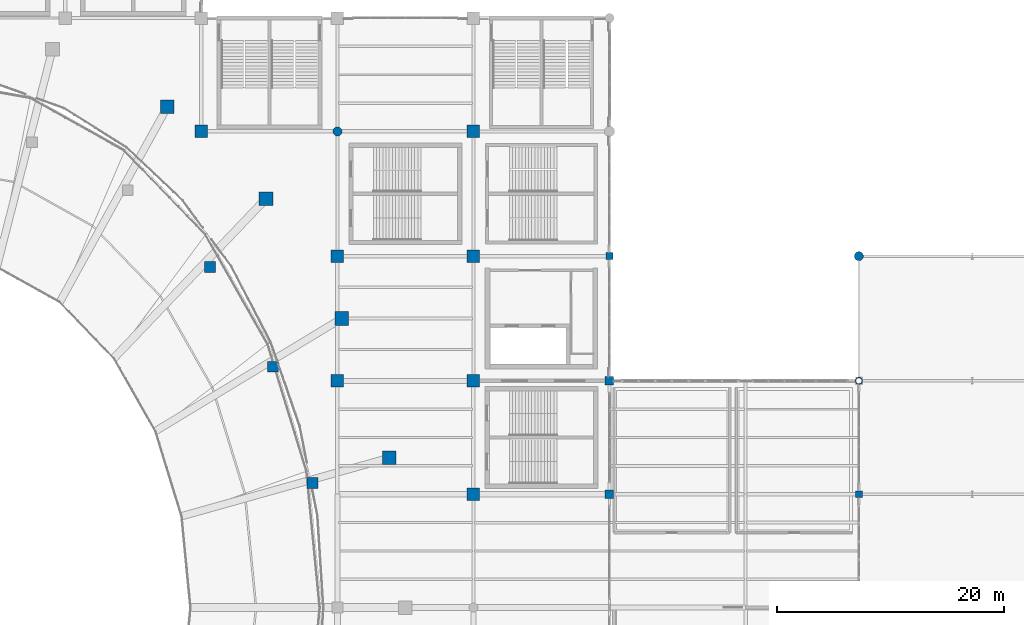
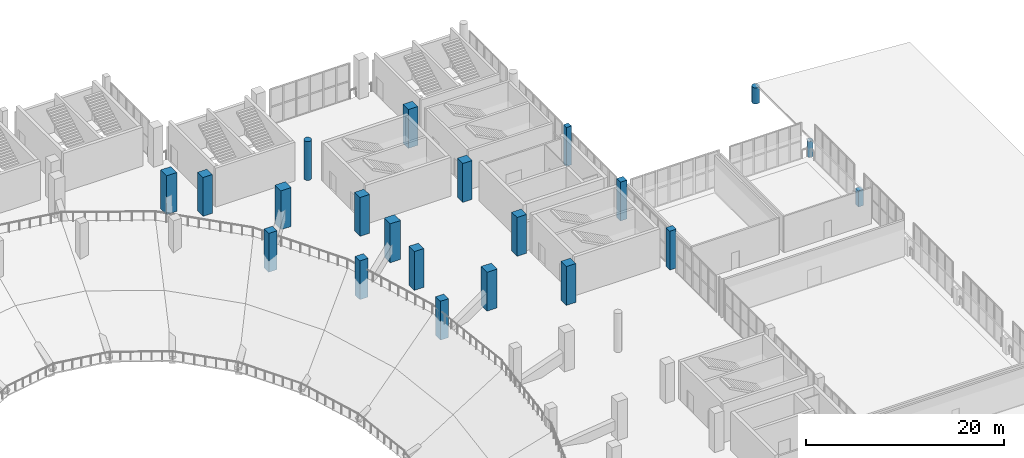
# One storey, part 12 of 136: 21 columns.
"""IFC4 building model written with IfcOpenShell, lengths in metres."""

from ifc_helpers import new_model, si_unit, direction, frame, origin, origin_2d, place, context, subcontext, project, spatial, rectangle, circle, hollow_circle, extrude, material, material_profile, profile_set, type_object, element, save


model = new_model("IFC4")

# Units and contexts
model_context = context("Model", 3, precision=1e-05, world=origin(), true_north=direction((0.0, 1.0)))
body_context = subcontext(model_context, "Body", "Model", "MODEL_VIEW")
ifc_project = project(units=[si_unit("LENGTHUNIT", "METRE"), si_unit("AREAUNIT", "SQUARE_METRE"), si_unit("VOLUMEUNIT", "CUBIC_METRE"), si_unit("PLANEANGLEUNIT", "RADIAN"), si_unit("MASSUNIT", "GRAM", prefix="KILO")], contexts=[model_context])

# Site, building, storey
site_placement = place(None, origin())
site = spatial("IfcSite", under=ifc_project, at=site_placement, CompositionType="ELEMENT")
building_placement = place(site_placement, origin())
building = spatial("IfcBuilding", under=site, at=building_placement, Name="Brinegate Civic Arena", CompositionType="ELEMENT")
storey_placement = place(building_placement, frame((0.0, 0.0, 5.39990234375)))
storey = spatial("IfcBuildingStorey", under=building, at=storey_placement, Name="L01", CompositionType="ELEMENT", Elevation=5.39990234375)

# Columns
ifc_material_1 = material(Name="Concrete C50/60", Category="concrete")
ifc_material_profile_1 = material_profile(ifc_material_1, rectangle(XDim=1.199951171875, YDim=1.199951171875, at=origin_2d()), Name="RC1200X1200")
ifc_profile_set_1 = profile_set([ifc_material_profile_1], Name="Concrete C50/60")
column_type_1 = type_object("IfcColumnType", Name="COL-CC01-1200", PredefinedType="COLUMN", material=ifc_profile_set_1)
for number, where, z_axis, x_axis, name in (
    (1, (148.569091796875, 75.199951171875, 0.0), (0.0, 0.0, 1.0), (1.0, 0.0, 0.0), "Bowl Raker Column OUT-02-L01"),
    (2, (144.373046875, 87.5, 0.0), (0.0, 0.0, 1.0), (1.0, 0.0, 0.0), "Bowl Raker Column OUT-03-L01"),
    (3, (137.697998046875, 98.06201171875, 0.0), (0.0, 0.0, 1.0), (1.0, 0.0, 0.0), "Bowl Raker Column OUT-04-L01"),
    (4, (129.0, 106.1669921875, 0.0), (0.0, 0.0, 1.0), (1.0, 0.0, 0.0), "Bowl Raker Column OUT-05-L01"),
):
    element("IfcColumn", number, at=place(storey_placement, frame(where, z_axis=z_axis, x_axis=x_axis)), inside=storey, type_object=column_type_1, Name=name, PredefinedType="COLUMN", context=body_context, shape_type="SweptSolid", body=[
        extrude(rectangle(XDim=1.199951171875, YDim=1.199951171875, at=origin_2d()), origin(), (0.0, 0.0, 1.0), 4.800048828125),
    ])
ifc_material_profile_2 = material_profile(ifc_material_1, rectangle(XDim=1.10009765625, YDim=1.10009765625, at=origin_2d()), Name="RC1100X1100")
ifc_profile_set_2 = profile_set([ifc_material_profile_2], Name="Concrete C50/60")
column_type_2 = type_object("IfcColumnType", Name="COL-CC02-1100", PredefinedType="COLUMN", material=ifc_profile_set_2)
for number, where, z_axis, x_axis, name in (
    (5, (132.0, 104.0, 0.0), (0.0, 0.0, 1.0), (1.0, 0.0, 0.0), "Column COL-L01-12-L"),
    (6, (144.0, 82.0, 0.0), (0.0, 0.0, 1.0), (1.0, 0.0, 0.0), "Column COL-L01-13-J"),
    (7, (144.0, 93.0, 0.0), (0.0, 0.0, 1.0), (1.0, 0.0, 0.0), "Column COL-L01-13-K"),
    (8, (156.0, 72.0, 0.0), (0.0, 0.0, 1.0), (1.0, 0.0, 0.0), "Column COL-L01-14-H"),
    (9, (156.0, 82.0, 0.0), (0.0, 0.0, 1.0), (1.0, 0.0, 0.0), "Column COL-L01-14-J"),
    (10, (156.0, 93.0, 0.0), (0.0, 0.0, 1.0), (1.0, 0.0, 0.0), "Column COL-L01-14-K"),
    (11, (156.0, 104.0, 0.0), (0.0, 0.0, 1.0), (1.0, 0.0, 0.0), "Column COL-L01-14-L"),
):
    element("IfcColumn", number, at=place(storey_placement, frame(where, z_axis=z_axis, x_axis=x_axis)), inside=storey, type_object=column_type_2, Name=name, PredefinedType="COLUMN", context=body_context, shape_type="SweptSolid", body=[
        extrude(rectangle(XDim=1.10009765625, YDim=1.10009765625, at=origin_2d()), origin(), (0.0, 0.0, 1.0), 4.800048828125),
    ])
ifc_material_profile_3 = material_profile(ifc_material_1, rectangle(XDim=0.949951171875, YDim=0.949951171875, at=origin_2d()), Name="RC950X950")
ifc_profile_set_3 = profile_set([ifc_material_profile_3], Name="Concrete C50/60")
column_type_3 = type_object("IfcColumnType", Name="COL-CC04-950", PredefinedType="COLUMN", material=ifc_profile_set_3)
for number, where, z_axis, x_axis, name in (
    (12, (141.806884765625, 73.0, 0.0), (0.0, 0.0, 1.0), (1.0, 0.0, 0.0), "Upper Raker Inner Column UIN-02-L01"),
    (13, (138.31103515625, 83.25, 0.0), (0.0, 0.0, 1.0), (1.0, 0.0, 0.0), "Upper Raker Inner Column UIN-03-L01"),
    (14, (132.7490234375, 92.052001953125, 0.0), (0.0, 0.0, 1.0), (1.0, 0.0, 0.0), "Upper Raker Inner Column UIN-04-L01"),
):
    element("IfcColumn", number, at=place(storey_placement, frame(where, z_axis=z_axis, x_axis=x_axis)), inside=storey, type_object=column_type_3, Name=name, PredefinedType="COLUMN", context=body_context, shape_type="SweptSolid", body=[
        extrude(rectangle(XDim=0.949951171875, YDim=0.949951171875, at=origin_2d()), origin(), (0.0, 0.0, 1.0), 4.800048828125),
    ])
ifc_material_profile_4 = material_profile(ifc_material_1, rectangle(XDim=0.75, YDim=0.75, at=origin_2d()), Name="RC750X750")
ifc_profile_set_4 = profile_set([ifc_material_profile_4], Name="Concrete C50/60")
column_type_4 = type_object("IfcColumnType", Name="COL-CC08-750", PredefinedType="COLUMN", material=ifc_profile_set_4)
for number, where, z_axis, x_axis, name in (
    (15, (168.0, 72.0, 0.0), (0.0, 0.0, 1.0), (1.0, 0.0, 0.0), "Column COL-L01-15-H"),
    (16, (168.0, 82.0, 0.0), (0.0, 0.0, 1.0), (1.0, 0.0, 0.0), "Column COL-L01-15-J"),
):
    element("IfcColumn", number, at=place(storey_placement, frame(where, z_axis=z_axis, x_axis=x_axis)), inside=storey, type_object=column_type_4, Name=name, PredefinedType="COLUMN", context=body_context, shape_type="SweptSolid", body=[
        extrude(rectangle(XDim=0.75, YDim=0.75, at=origin_2d()), origin(), (0.0, 0.0, 1.0), 4.800048828125),
    ])
ifc_material_profile_5 = material_profile(ifc_material_1, rectangle(XDim=0.60009765625, YDim=0.60009765625, at=origin_2d()), Name="RC600X600")
ifc_profile_set_5 = profile_set([ifc_material_profile_5], Name="Concrete C50/60")
column_type_5 = type_object("IfcColumnType", Name="COL-CC11-600", PredefinedType="COLUMN", material=ifc_profile_set_5)
column_1_placement = place(storey_placement, frame((168.0, 93.0, 0.0), z_axis=(0.0, 0.0, 1.0), x_axis=(1.0, 0.0, 0.0)))
element("IfcColumn", 17, at=column_1_placement, inside=storey, type_object=column_type_5, Name="Column COL-L01-15-K", PredefinedType="COLUMN", context=body_context, shape_type="SweptSolid", body=[
    extrude(rectangle(XDim=0.60009765625, YDim=0.60009765625, at=origin_2d()), origin(), (0.0, 0.0, 1.0), 4.800048828125),
])
column_2_placement = place(storey_placement, frame((190.0, 72.0, 0.0), z_axis=(0.0, 0.0, 1.0), x_axis=(1.0, 0.0, 0.0)))
element("IfcColumn", 18, at=column_2_placement, inside=storey, type_object=column_type_5, Name="Column COL-L01-17-H", PredefinedType="COLUMN", context=body_context, shape_type="SweptSolid", body=[
    extrude(rectangle(XDim=0.60009765625, YDim=0.60009765625, at=origin_2d()), origin(), (0.0, 0.0, 1.0), 2.0),
])
ifc_material_profile_6 = material_profile(ifc_material_1, circle(Radius=0.39990234375, at=origin_2d()), Name="RCD800")
ifc_profile_set_6 = profile_set([ifc_material_profile_6], Name="Concrete C50/60")
column_type_6 = type_object("IfcColumnType", Name="COL-CC13-D800", PredefinedType="COLUMN", material=ifc_profile_set_6)
column_3_placement = place(storey_placement, frame((144.0, 104.0, 0.0), z_axis=(0.0, 0.0, 1.0), x_axis=(1.0, 0.0, 0.0)))
element("IfcColumn", 19, at=column_3_placement, inside=storey, type_object=column_type_6, Name="Column COL-L01-13-L", PredefinedType="COLUMN", context=body_context, shape_type="SweptSolid", body=[
    extrude(circle(Radius=0.39990234375, at=origin_2d()), origin(), (0.0, 0.0, 1.0), 4.800048828125),
])
column_4_placement = place(storey_placement, frame((190.0, 93.0, 0.0), z_axis=(0.0, 0.0, 1.0), x_axis=(1.0, 0.0, 0.0)))
element("IfcColumn", 20, at=column_4_placement, inside=storey, type_object=column_type_6, Name="Column COL-L01-17-K", PredefinedType="COLUMN", context=body_context, shape_type="SweptSolid", body=[
    extrude(circle(Radius=0.39990234375, at=origin_2d()), origin(), (0.0, 0.0, 1.0), 2.0),
])
ifc_material_2 = material(Name="Steel S355", Category="steel")
ifc_material_profile_7 = material_profile(ifc_material_2, hollow_circle(Radius=0.304931640625, WallThickness=0.02490234375, at=origin_2d()), Name="CHS610X25")
ifc_profile_set_7 = profile_set([ifc_material_profile_7], Name="Steel S355")
column_type_7 = type_object("IfcColumnType", Name="COL-SC05-CHS610", PredefinedType="COLUMN", material=ifc_profile_set_7)
column_5_placement = place(storey_placement, frame((190.0, 82.0, 0.0), z_axis=(0.0, 0.0, 1.0), x_axis=(1.0, 0.0, 0.0)))
element("IfcColumn", 21, at=column_5_placement, inside=storey, type_object=column_type_7, Name="Column COL-L01-17-J", PredefinedType="COLUMN", context=body_context, shape_type="SweptSolid", body=[
    extrude(hollow_circle(Radius=0.304931640625, WallThickness=0.02490234375, at=origin_2d()), origin(), (0.0, 0.0, 1.0), 2.0),
])

save(model, "model.ifc")
